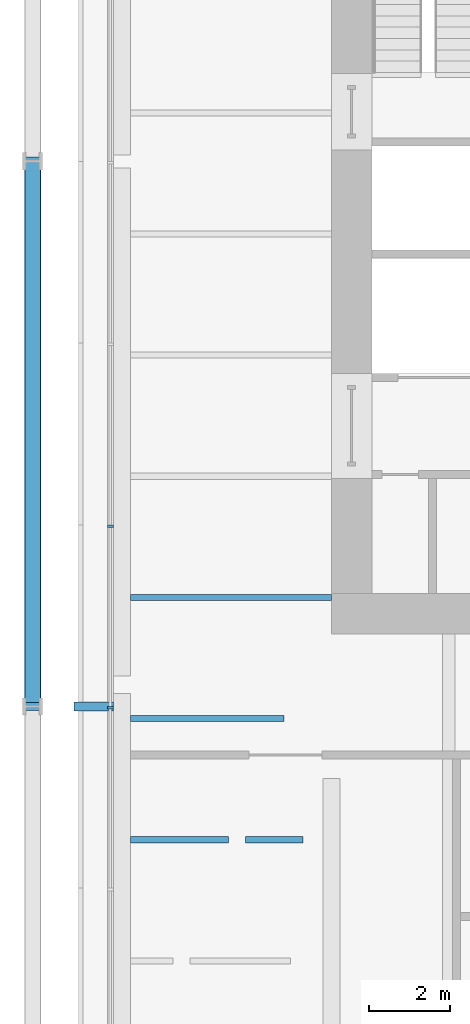
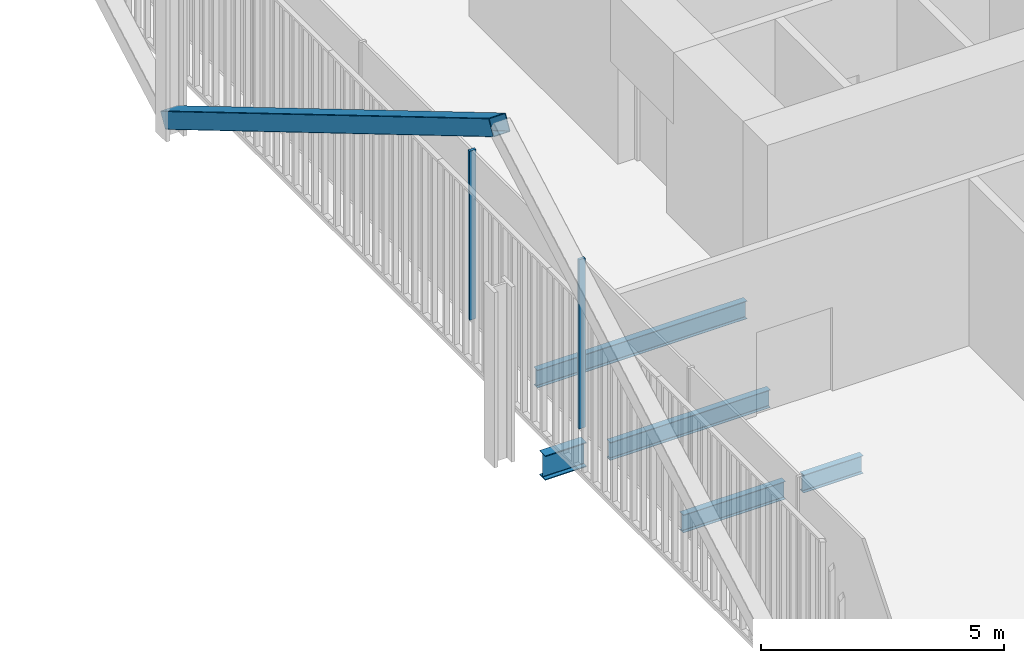
# One storey, part 5 of 21: 5 beams, 3 members, 1 element without a shape of its own.
"""IFC4 building model written with IfcOpenShell, lengths in metres."""

from ifc_helpers import new_model, si_unit, direction, frame, origin, origin_2d, place, context, subcontext, project, spatial, rectangle, hollow_rectangle, i_section, extrude, material, layer, layer_set, material_profile, profile_set, type_object, element, aggregate, save


model = new_model("IFC4")

# Units and contexts
model_context = context("Model", 3, precision=1e-05, world=origin(), true_north=direction((0.0, 1.0)))
body_context = subcontext(model_context, "Body", "Model", "MODEL_VIEW")
ifc_project = project(units=[si_unit("LENGTHUNIT", "METRE"), si_unit("AREAUNIT", "SQUARE_METRE"), si_unit("VOLUMEUNIT", "CUBIC_METRE"), si_unit("PLANEANGLEUNIT", "RADIAN"), si_unit("MASSUNIT", "GRAM", prefix="KILO")], contexts=[model_context])

# Site, building, storey
site_placement = place(None, origin())
site = spatial("IfcSite", under=ifc_project, at=site_placement, CompositionType="ELEMENT")
building_placement = place(site_placement, origin())
building = spatial("IfcBuilding", under=site, at=building_placement, Name="Millrace Tower", CompositionType="ELEMENT")
storey_placement = place(building_placement, frame((0.0, 0.0, 73.199951171875)))
storey = spatial("IfcBuildingStorey", under=building, at=storey_placement, Name="L16", CompositionType="ELEMENT", Elevation=73.199951171875)

# Curtain wall, members
ifc_material_1 = material(Name="Aluminium and glass", Category="aluminium")
ifc_layer = layer(ifc_material_1, 0.14990234375)
ifc_layer_set = layer_set([ifc_layer], Name="Aluminium and glass")
curtain_wall_type = type_object("IfcCurtainWallType", Name="CW-3 telecom floor curtain wall", PredefinedType="NOTDEFINED", material=ifc_layer_set)
curtain_wall_placement = place(storey_placement, origin())
curtain_wall = element("IfcCurtainWall", 1, at=curtain_wall_placement, inside=storey, type_object=curtain_wall_type, Name="Curtain wall B-F08 L16", PredefinedType="NOTDEFINED")
ifc_material_2 = material(Name="Aluminium", Category="aluminium")
ifc_material_profile_1 = material_profile(ifc_material_2, rectangle(XDim=0.06494140625, YDim=0.14990234375, at=origin_2d()))
ifc_profile_set_1 = profile_set([ifc_material_profile_1], Name="Aluminium")
member_type_1 = type_object("IfcMemberType", Name="CW-3 telecom floor curtain wall mullion", PredefinedType="MULLION", material=ifc_profile_set_1)
member_1_placement = place(storey_placement, frame((-20.375, -7.232421875, 0.150146484375), z_axis=(0.0, 0.0, 1.0), x_axis=(0.0, -1.0, 0.0)))
member_1 = element("IfcMember", 2, at=member_1_placement, type_object=member_type_1, Name="CW3 mullion B-F08.6", PredefinedType="MULLION", context=body_context, shape_type="SweptSolid", body=[
    extrude(rectangle(XDim=0.06494140625, YDim=0.14990234375, at=origin_2d()), origin(), (0.0, 0.0, 1.0), 4.25),
])
member_2_placement = place(storey_placement, frame((-20.375, -11.732421875, 0.150146484375), z_axis=(0.0, 0.0, 1.0), x_axis=(0.0, -1.0, 0.0)))
member_2 = element("IfcMember", 3, at=member_2_placement, type_object=member_type_1, Name="CW3 mullion B-F08.7", PredefinedType="MULLION", context=body_context, shape_type="SweptSolid", body=[
    extrude(rectangle(XDim=0.06494140625, YDim=0.14990234375, at=origin_2d()), origin(), (0.0, 0.0, 1.0), 4.25),
])
aggregate(curtain_wall, [member_1, member_2])

# Member
ifc_material_3 = material(Name="Steel ASTM A500 Grade C", Category="steel")
ifc_material_profile_2 = material_profile(ifc_material_3, hollow_rectangle(XDim=0.406494140625, YDim=0.406494140625, WallThickness=0.015869140625, InnerFilletRadius=0.008056640625, OuterFilletRadius=0.02392578125, at=origin_2d()))
ifc_profile_set_2 = profile_set([ifc_material_profile_2], Name="Steel ASTM A500 Grade C")
member_type_2 = type_object("IfcMemberType", Name="Exoskeleton brace HSS16x16x5/8", PredefinedType="BRACE", material=ifc_profile_set_2)
member_3_placement = place(storey_placement, frame((-22.300048828125, 1.800048828125, 0.400146484375), z_axis=(0.0, -0.860291533634, 0.509802390302), x_axis=(1.0, 0.0, 0.0)))
element("IfcMember", 4, at=member_3_placement, inside=storey, type_object=member_type_2, Name="BRC-B-L16-15", PredefinedType="BRACE", context=body_context, shape_type="SweptSolid", body=[
    extrude(hollow_rectangle(XDim=0.406494140625, YDim=0.406494140625, WallThickness=0.015869140625, InnerFilletRadius=0.008056640625, OuterFilletRadius=0.02392578125, at=origin_2d()), origin(), (0.0, 0.0, 1.0), 15.6923828125),
])

# Beams
ifc_material_4 = material(Name="Steel ASTM A992 Grade 50", Category="steel")
ifc_material_profile_3 = material_profile(ifc_material_4, i_section(OverallWidth=0.15234375, OverallDepth=0.449462890625, WebThickness=0.007568359375, FlangeThickness=0.0107421875, FilletRadius=0.01025390625, at=origin_2d()))
ifc_profile_set_3 = profile_set([ifc_material_profile_3], Name="Steel ASTM A992 Grade 50")
beam_type_1 = type_object("IfcBeamType", Name="Floor beam W18x35", PredefinedType="JOIST", material=ifc_profile_set_3)
beam_1_placement = place(storey_placement, frame((-19.880859375, -9.0, -0.4248046875), z_axis=(1.0, 0.0, 0.0), x_axis=(0.0, 1.0, 0.0)))
element("IfcBeam", 5, at=beam_1_placement, inside=storey, type_object=beam_type_1, Name="BM-B-L16-S1-S014", PredefinedType="JOIST", context=body_context, shape_type="SweptSolid", body=[
    extrude(i_section(OverallWidth=0.15234375, OverallDepth=0.449462890625, WebThickness=0.007568359375, FlangeThickness=0.0107421875, FilletRadius=0.01025390625, at=origin_2d()), origin(), (0.0, 0.0, 1.0), 4.98095703125),
])
beam_2_placement = place(storey_placement, frame((-19.880859375, -15.0, -0.4248046875), z_axis=(1.0, 0.0, 0.0), x_axis=(0.0, 1.0, 0.0)))
element("IfcBeam", 6, at=beam_2_placement, inside=storey, type_object=beam_type_1, Name="BM-B-L16-S1-S009-a", PredefinedType="JOIST", context=body_context, shape_type="SweptSolid", body=[
    extrude(i_section(OverallWidth=0.15234375, OverallDepth=0.449462890625, WebThickness=0.007568359375, FlangeThickness=0.0107421875, FilletRadius=0.01025390625, at=origin_2d()), origin(), (0.0, 0.0, 1.0), 2.427490234375),
])
beam_3_placement = place(storey_placement, frame((-19.880859375, -12.0, -0.4248046875), z_axis=(1.0, 0.0, 0.0), x_axis=(0.0, 1.0, 0.0)))
element("IfcBeam", 7, at=beam_3_placement, inside=storey, type_object=beam_type_1, Name="BM-B-L16-S1-S011", PredefinedType="JOIST", context=body_context, shape_type="SweptSolid", body=[
    extrude(i_section(OverallWidth=0.15234375, OverallDepth=0.449462890625, WebThickness=0.007568359375, FlangeThickness=0.0107421875, FilletRadius=0.01025390625, at=origin_2d()), origin(), (0.0, 0.0, 1.0), 3.803955078125),
])
beam_4_placement = place(storey_placement, frame((-17.026611328125, -15.0, -0.4248046875), z_axis=(1.0, 0.0, 0.0), x_axis=(0.0, 1.0, 0.0)))
element("IfcBeam", 8, at=beam_4_placement, inside=storey, type_object=beam_type_1, Name="BM-B-L16-S1-S009-b", PredefinedType="JOIST", context=body_context, shape_type="SweptSolid", body=[
    extrude(i_section(OverallWidth=0.15234375, OverallDepth=0.449462890625, WebThickness=0.007568359375, FlangeThickness=0.0107421875, FilletRadius=0.01025390625, at=origin_2d()), origin(), (0.0, 0.0, 1.0), 1.42236328125),
])
ifc_material_5 = material(Name="Steel ASTM A992 Grade 50", Category="steel")
ifc_material_profile_4 = material_profile(ifc_material_5, i_section(OverallWidth=0.23046875, OverallDepth=0.6171875, WebThickness=0.01318359375, FlangeThickness=0.022216796875, FilletRadius=0.012939453125, at=origin_2d()))
ifc_profile_set_4 = profile_set([ifc_material_profile_4], Name="Steel ASTM A992 Grade 50")
beam_type_2 = type_object("IfcBeamType", Name="Link beam W24x94", PredefinedType="BEAM", material=ifc_profile_set_4)
beam_5_placement = place(storey_placement, frame((-20.300048828125, -11.699951171875, -0.508544921875), z_axis=(-1.0, 0.0, 0.0), x_axis=(0.0, -1.0, 0.0)))
element("IfcBeam", 9, at=beam_5_placement, inside=storey, type_object=beam_type_2, Name="LNK-B-L16-S1-02", PredefinedType="BEAM", context=body_context, shape_type="SweptSolid", body=[
    extrude(i_section(OverallWidth=0.23046875, OverallDepth=0.6171875, WebThickness=0.01318359375, FlangeThickness=0.022216796875, FilletRadius=0.012939453125, at=origin_2d()), origin(), (0.0, 0.0, 1.0), 0.9775390625),
])

save(model, "model.ifc")
